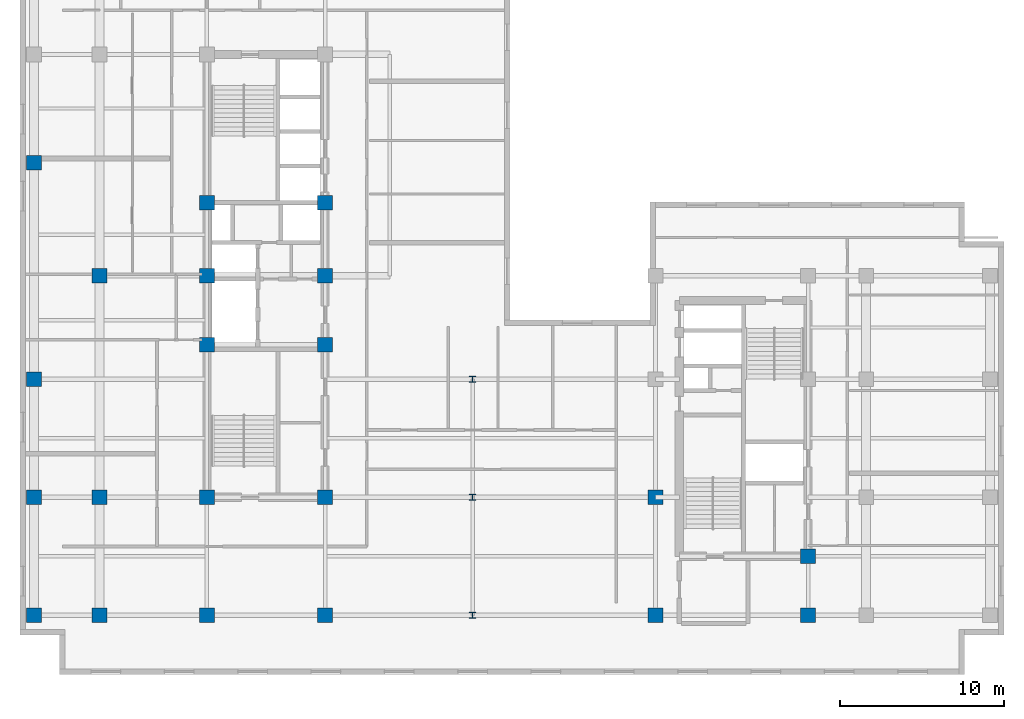
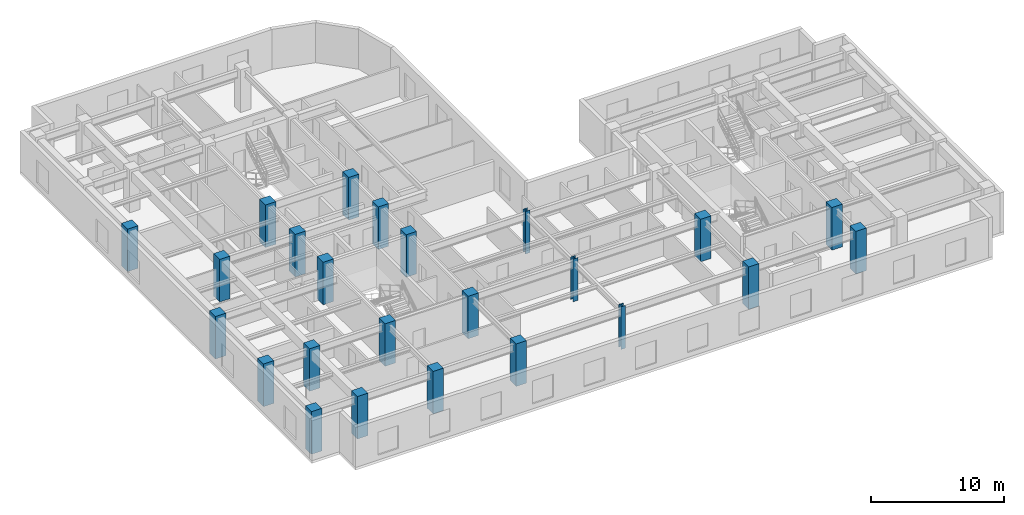
# One storey, part 1 of 11: 24 columns.
"""IFC4 building model written with IfcOpenShell, lengths in metres."""

from ifc_helpers import new_model, entity, si_unit, converted_unit, direction, frame, origin_with_axes, origin_2d_with_axis, place, context, subcontext, project, spatial, rectangle, i_section, extrude, material, material_profile, profile_set, type_object, element, save


model = new_model("IFC4")

# Units and contexts
model_context = context("Model", 3, precision=1e-05, world=origin_with_axes(), true_north=direction((0.0, 1.0)))
body_context = subcontext(model_context, "Body", "Model", "MODEL_VIEW")
ifc_project = project(units=[si_unit("LENGTHUNIT", "METRE"), si_unit("AREAUNIT", "SQUARE_METRE"), si_unit("VOLUMEUNIT", "CUBIC_METRE"), converted_unit("PLANEANGLEUNIT", "DEGREE", entity("IfcPlaneAngleMeasure", 0.017453292519943295), si_unit("PLANEANGLEUNIT", "RADIAN"), dimensions=[0, 0, 0, 0, 0, 0, 0]), si_unit("MASSUNIT", "GRAM", prefix="KILO"), si_unit("THERMODYNAMICTEMPERATUREUNIT", "KELVIN")], contexts=[model_context])

# Site, building, storey
site_placement = place(None, origin_with_axes())
site = spatial("IfcSite", under=ifc_project, at=site_placement, CompositionType="ELEMENT")
building_placement = place(site_placement, origin_with_axes())
building = spatial("IfcBuilding", under=site, at=building_placement, Name="Varnlund Millrace Tower", CompositionType="ELEMENT")
storey_placement = place(building_placement, frame((0.0, 0.0, 204.3), z_axis=(0.0, 0.0, 1.0), x_axis=(1.0, 0.0, 0.0)))
storey = spatial("IfcBuildingStorey", under=building, at=storey_placement, Name="L50", CompositionType="ELEMENT", Elevation=204.3)

# Columns
ifc_material_1 = material(Name="Steel ASTM A992 Grade 50", Category="steel")
ifc_material_profile_1 = material_profile(ifc_material_1, i_section(OverallWidth=0.394, OverallDepth=0.375, WebThickness=0.0173, FlangeThickness=0.0277, FilletRadius=0.02, at=origin_2d_with_axis()), Name="Steel ASTM A992 Grade 50")
ifc_profile_set_1 = profile_set([ifc_material_profile_1], Name="Steel ASTM A992 Grade 50")
column_type_1 = type_object("IfcColumnType", Name="Type-Col-Int-W14X145", PredefinedType="COLUMN", material=ifc_profile_set_1)
for number, where, z_axis, x_axis, name in (
    (1, (27.6, 3.6, 0.0), (0.0, 0.0, 1.0), (1.0, 0.0, 0.0), "Type-Col-Int-W14X145"),
    (2, (27.6, 10.8, 0.0), (0.0, 0.0, 1.0), (1.0, 0.0, 0.0), "Type-Col-Int-W14X145"),
    (3, (27.6, 18.0, 0.0), (0.0, 0.0, 1.0), (1.0, 0.0, 0.0), "Type-Col-Int-W14X145"),
):
    element("IfcColumn", number, at=place(storey_placement, frame(where, z_axis=z_axis, x_axis=x_axis)), inside=storey, type_object=column_type_1, Name=name, PredefinedType="COLUMN", context=body_context, shape_type="SweptSolid", body=[
        extrude(i_section(OverallWidth=0.394, OverallDepth=0.375, WebThickness=0.0173, FlangeThickness=0.0277, FilletRadius=0.02, at=origin_2d_with_axis()), origin_with_axes(), (0.0, 0.0, 1.0), 3.9),
    ])
ifc_material_2 = material(Name="Concrete C70/85", Category="concrete")
ifc_material_profile_2 = material_profile(ifc_material_2, rectangle(XDim=0.9, YDim=0.9, at=origin_2d_with_axis()), Name="Concrete C70/85")
ifc_profile_set_2 = profile_set([ifc_material_profile_2], Name="Concrete C70/85")
column_type_2 = type_object("IfcColumnType", Name="Type-Col-RC900-C70", PredefinedType="COLUMN", material=ifc_profile_set_2)
for number, where, z_axis, x_axis, name in (
    (4, (11.4, 3.6, 0.0), (0.0, 0.0, 1.0), (1.0, 0.0, 0.0), "Type-Col-RC900-C70"),
    (5, (11.4, 10.8, 0.0), (0.0, 0.0, 1.0), (1.0, 0.0, 0.0), "Type-Col-RC900-C70"),
    (6, (11.4, 20.1, 0.0), (0.0, 0.0, 1.0), (1.0, 0.0, 0.0), "Type-Col-RC900-C70"),
    (7, (11.4, 24.3, 0.0), (0.0, 0.0, 1.0), (1.0, 0.0, 0.0), "Type-Col-RC900-C70"),
    (8, (11.4, 28.75, 0.0), (0.0, 0.0, 1.0), (1.0, 0.0, 0.0), "Type-Col-RC900-C70"),
    (9, (18.6, 3.6, 0.0), (0.0, 0.0, 1.0), (1.0, 0.0, 0.0), "Type-Col-RC900-C70"),
    (10, (18.6, 10.8, 0.0), (0.0, 0.0, 1.0), (1.0, 0.0, 0.0), "Type-Col-RC900-C70"),
    (11, (18.6, 20.1, 0.0), (0.0, 0.0, 1.0), (1.0, 0.0, 0.0), "Type-Col-RC900-C70"),
    (12, (18.6, 24.3, 0.0), (0.0, 0.0, 1.0), (1.0, 0.0, 0.0), "Type-Col-RC900-C70"),
    (13, (18.6, 28.75, 0.0), (0.0, 0.0, 1.0), (1.0, 0.0, 0.0), "Type-Col-RC900-C70"),
    (14, (4.85, 3.6, 0.0), (0.0, 0.0, 1.0), (1.0, 0.0, 0.0), "Type-Col-RC900-C70"),
    (15, (4.85, 10.8, 0.0), (0.0, 0.0, 1.0), (1.0, 0.0, 0.0), "Type-Col-RC900-C70"),
    (16, (4.85, 24.3, 0.0), (0.0, 0.0, 1.0), (1.0, 0.0, 0.0), "Type-Col-RC900-C70"),
    (17, (0.85, 3.6, 0.0), (0.0, 0.0, 1.0), (1.0, 0.0, 0.0), "Type-Col-RC900-C70"),
    (18, (0.85, 10.8, 0.0), (0.0, 0.0, 1.0), (1.0, 0.0, 0.0), "Type-Col-RC900-C70"),
    (19, (0.85, 18.0, 0.0), (0.0, 0.0, 1.0), (1.0, 0.0, 0.0), "Type-Col-RC900-C70"),
    (20, (0.85, 31.2, 0.0), (0.0, 0.0, 1.0), (1.0, 0.0, 0.0), "Type-Col-RC900-C70"),
    (21, (38.75, 3.6, 0.0), (0.0, 0.0, 1.0), (1.0, 0.0, 0.0), "Type-Col-RC900-C70"),
    (22, (38.75, 10.8, 0.0), (0.0, 0.0, 1.0), (1.0, 0.0, 0.0), "Type-Col-RC900-C70"),
    (23, (48.05, 3.6, 0.0), (0.0, 0.0, 1.0), (1.0, 0.0, 0.0), "Type-Col-RC900-C70"),
    (24, (48.05, 7.2, 0.0), (0.0, 0.0, 1.0), (1.0, 0.0, 0.0), "Type-Col-RC900-C70"),
):
    element("IfcColumn", number, at=place(storey_placement, frame(where, z_axis=z_axis, x_axis=x_axis)), inside=storey, type_object=column_type_2, Name=name, PredefinedType="COLUMN", context=body_context, shape_type="SweptSolid", body=[
        extrude(rectangle(XDim=0.9, YDim=0.9, at=origin_2d_with_axis()), origin_with_axes(), (0.0, 0.0, 1.0), 3.9),
    ])

save(model, "model.ifc")
